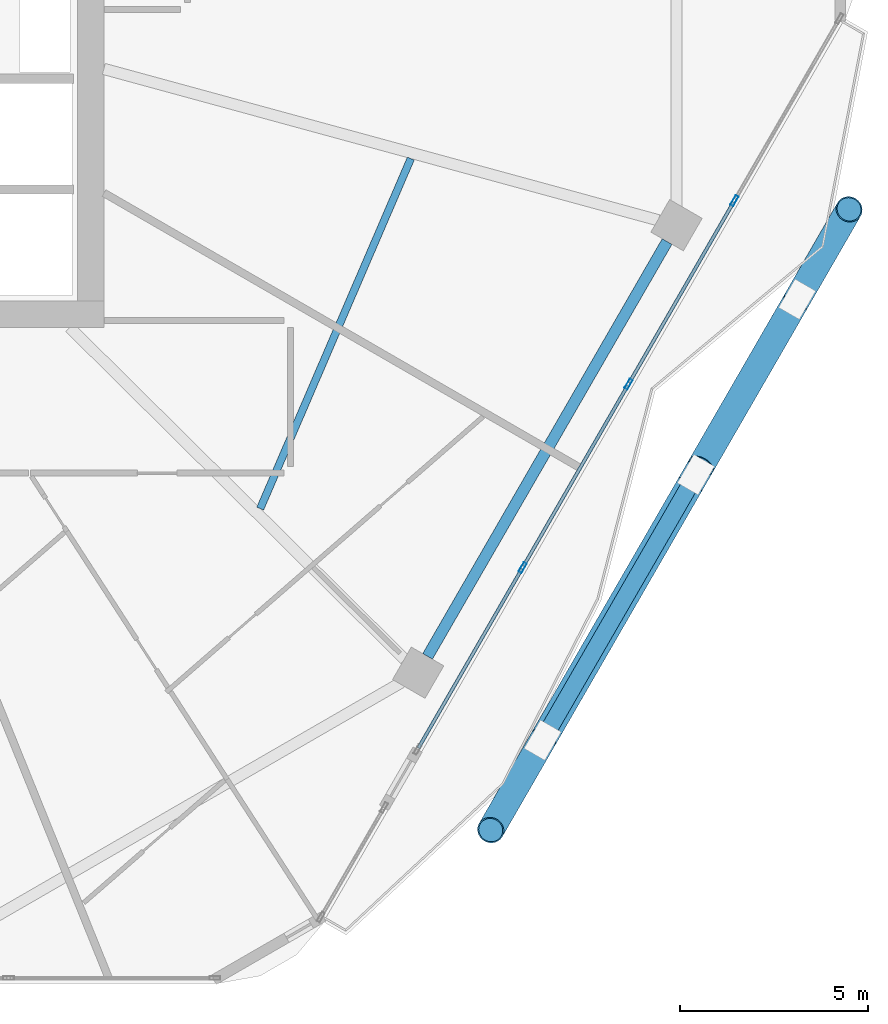
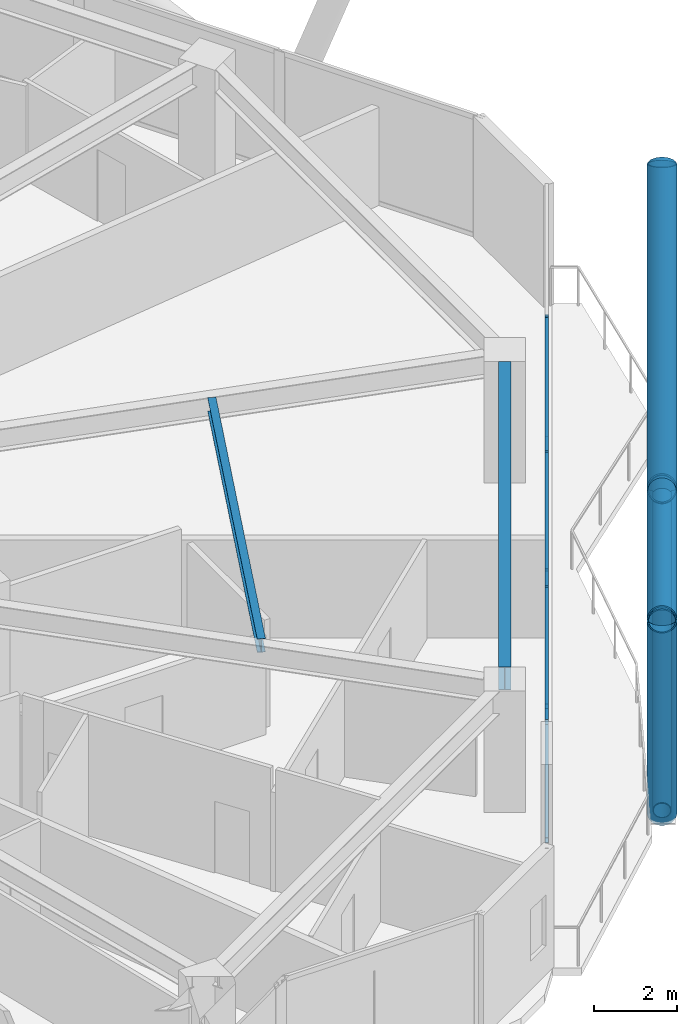
# One storey, part 8 of 28: 15 members, 2 beams, 1 element without a shape of its own.
"""IFC4 building model written with IfcOpenShell, lengths in metres."""

import ifcopenshell
import ifcopenshell.guid

model = None  # the IFC model being written
_history = None  # IfcOwnerHistory: only IFC2X3 demands one
_inside = {}  # id of a spatial element -> (the spatial element, [elements in it])
_under = {}  # id of a project, library or spatial element -> (it, [spatial elements below it])
_declared = {}  # id of a project -> (the project, [libraries it declares])
_typed = {}  # id of a type object -> (the type object, [elements of that type])
_made_of = {}  # id of a material, layer set ... -> (it, [elements and type objects made of it])


def new_model(schema):
    """Start an empty IFC model of exactly this schema.

    Asked for "IFC4X3", IfcOpenShell would pick the latest addendum, in which some entities
    have other attributes; the version numbers below select the first issue.
    IFC2X3 requires an IfcOwnerHistory on every rooted entity: one is made here for all.
    """
    global model, _history
    if schema == "IFC4X3":
        model = ifcopenshell.file(schema_version=(4, 3, 0, 0))
    else:
        model = ifcopenshell.file(schema=schema)
    _inside.clear()
    _under.clear()
    _declared.clear()
    _typed.clear()
    _made_of.clear()
    _history = None
    if model.schema == "IFC2X3":
        org = make("IfcOrganization", Name="unknown")
        user = make(
            "IfcPersonAndOrganization",
            ThePerson=make("IfcPerson", FamilyName="unknown"),
            TheOrganization=org,
        )
        app = make(
            "IfcApplication",
            ApplicationDeveloper=org,
            Version="unknown",
            ApplicationFullName="unknown",
            ApplicationIdentifier="unknown",
        )
        _history = make(
            "IfcOwnerHistory",
            OwningUser=user,
            OwningApplication=app,
            ChangeAction="ADDED",
            CreationDate=0,
        )
    return model


def make(cls, **values):
    """One entity of the class cls with the attributes given. An attribute that is None is left unset."""
    return model.create_entity(
        cls, **{name: value for name, value in values.items() if value is not None}
    )


def rooted(cls, **values):
    """An entity with a GlobalId (a new one), such as an element, a storey or a relation."""
    return make(cls, GlobalId=ifcopenshell.guid.new(), OwnerHistory=_history, **values)


def si_unit(unit_type, name, prefix=None):
    """IfcSIUnit, for example si_unit("LENGTHUNIT", "METRE", prefix="MILLI")."""
    return make("IfcSIUnit", UnitType=unit_type, Prefix=prefix, Name=name)


def assignment(units):
    """IfcUnitAssignment: the units of a project."""
    return None if units is None else make("IfcUnitAssignment", Units=units)


def point(xyz):
    """IfcCartesianPoint."""
    return None if xyz is None else make("IfcCartesianPoint", Coordinates=xyz)


def direction(xyz):
    """IfcDirection."""
    return None if xyz is None else make("IfcDirection", DirectionRatios=xyz)


def frame(location, z_axis=None, x_axis=None):
    """IfcAxis2Placement3D, a coordinate frame: its origin and axes. An axis left out is left unset."""
    return make(
        "IfcAxis2Placement3D",
        Location=point(location),
        Axis=direction(z_axis),
        RefDirection=direction(x_axis),
    )


def frame_2d(location, x_axis=None):
    """IfcAxis2Placement2D, a coordinate frame in the plane: its origin and x axis."""
    return make(
        "IfcAxis2Placement2D", Location=point(location), RefDirection=direction(x_axis)
    )


def origin():
    """The frame at (0, 0, 0) with its axes left unset."""
    return frame((0.0, 0.0, 0.0))


def origin_2d():
    """The frame at (0, 0) in the plane with its x axis left unset."""
    return frame_2d((0.0, 0.0))


def place(relative_to, where):
    """IfcLocalPlacement: puts the frame where relative to a parent placement (None: the world)."""
    return make(
        "IfcLocalPlacement", PlacementRelTo=relative_to, RelativePlacement=where
    )


def context(
    kind, dimensions, precision=None, world=None, true_north=None, identifier=None
):
    """IfcGeometricRepresentationContext, for example the 3D "Model" context."""
    return make(
        "IfcGeometricRepresentationContext",
        ContextIdentifier=identifier,
        ContextType=kind,
        CoordinateSpaceDimension=dimensions,
        Precision=precision,
        WorldCoordinateSystem=world,
        TrueNorth=true_north,
    )


def subcontext(parent, identifier, kind, view, scale=None):
    """IfcGeometricRepresentationSubContext, for example "Body" below "Model"."""
    return make(
        "IfcGeometricRepresentationSubContext",
        ContextIdentifier=identifier,
        ContextType=kind,
        ParentContext=parent,
        TargetScale=scale,
        TargetView=view,
    )


def project(units=None, contexts=None):
    """IfcProject with its units and contexts."""
    return rooted(
        "IfcProject",
        Name="project",
        RepresentationContexts=contexts,
        UnitsInContext=assignment(units),
    )


def spatial(cls, under=None, at=None, **own):
    """A site, building, storey or space (cls), placed at a placement, below another one or the project."""
    s = rooted(cls, ObjectPlacement=at, **own)
    if under is not None:
        _under.setdefault(under.id(), (under, []))[1].append(s)
    return s


def profile(cls, at=None, kind="AREA", **sizes):
    """A parametric profile (cls). Its sizes go by their IFC names, for example OverallWidth=200.0."""
    return make(cls, ProfileType=kind, Position=at, **sizes)


def hollow_rectangle(**sizes):
    """IfcRectangleHollowProfileDef."""
    return profile("IfcRectangleHollowProfileDef", **sizes)


def hollow_circle(**sizes):
    """IfcCircleHollowProfileDef."""
    return profile("IfcCircleHollowProfileDef", **sizes)


def i_section(**sizes):
    """IfcIShapeProfileDef."""
    return profile("IfcIShapeProfileDef", **sizes)


def extrude(swept, where, along, depth):
    """IfcExtrudedAreaSolid: the profile swept, set in the frame where, extruded along a direction by depth."""
    return make(
        "IfcExtrudedAreaSolid",
        SweptArea=swept,
        Position=where,
        ExtrudedDirection=direction(along),
        Depth=depth,
    )


def shape(context_of_items, identifier, shape_type, items):
    """IfcShapeRepresentation: the items that make up one representation, for example the "Body"."""
    return make(
        "IfcShapeRepresentation",
        ContextOfItems=context_of_items,
        RepresentationIdentifier=identifier,
        RepresentationType=shape_type,
        Items=items,
    )


def material(Name=None, Category=None):
    """IfcMaterial."""
    return make("IfcMaterial", Name=Name, Category=Category)


def material_profile(
    of_material, cross_section, Name=None, Category=None, Priority=None
):
    """IfcMaterialProfile: a cross section and its material."""
    return make(
        "IfcMaterialProfile",
        Name=Name,
        Material=of_material,
        Profile=cross_section,
        Priority=Priority,
        Category=Category,
    )


def profile_set(profiles, Name=None, composite=None):
    """IfcMaterialProfileSet."""
    return make(
        "IfcMaterialProfileSet",
        Name=Name,
        MaterialProfiles=profiles,
        CompositeProfile=composite,
    )


def made_of(thing, what):
    """Note that an element or type object is made of a material, layer set ...; save() writes the relation."""
    if what is not None:
        _made_of.setdefault(what.id(), (what, []))[1].append(thing)
    return thing


def type_object(cls, material=None, **own):
    """A type object (cls), such as IfcWallType, which elements share."""
    return made_of(rooted(cls, **own), material)


def element(
    cls,
    number,
    at=None,
    inside=None,
    cuts=None,
    type_object=None,
    material=None,
    context=None,
    identifier="Body",
    shape_type=None,
    held_by="IfcProductDefinitionShape",
    body=None,
    shapes=None,
    **own,
):
    """One element of the class cls, such as IfcWall. Its Tag is "e" and its number.

    at: its placement. inside: the storey or other place that contains it. cuts: it is an
    opening in that element (IfcRelVoidsElement). A single representation is given by context,
    identifier, shape_type and body (its items); several are given by shapes. held_by: the class
    of the entity that holds the representations. save() writes the other relations.
    """
    e = rooted(cls, Tag="e%d" % number, ObjectPlacement=at, **own)
    if body is not None:
        shapes = [shape(context, identifier, shape_type, body)]
    if shapes is not None:
        e.Representation = make(held_by, Representations=shapes)
    if inside is not None:
        _inside.setdefault(inside.id(), (inside, []))[1].append(e)
    if cuts is not None:
        rooted(
            "IfcRelVoidsElement", RelatingBuildingElement=cuts, RelatedOpeningElement=e
        )
    if type_object is not None:
        _typed.setdefault(type_object.id(), (type_object, []))[1].append(e)
    return made_of(e, material)


def aggregate(whole, parts):
    """IfcRelAggregates: a whole, such as a stair, and the parts it consists of."""
    return rooted("IfcRelAggregates", RelatingObject=whole, RelatedObjects=parts)


def save(model, path):
    """Write the relations noted so far, then the file.

    IfcRelAggregates (storeys below a building ...), IfcRelContainedInSpatialStructure (elements
    in a storey), IfcRelDefinesByType, IfcRelAssociatesMaterial and IfcRelDeclares: one each for
    every whole, place, type object, material and project.
    """
    for whole, parts in _under.values():
        aggregate(whole, parts)
    for where, things in _inside.values():
        rooted(
            "IfcRelContainedInSpatialStructure",
            RelatedElements=things,
            RelatingStructure=where,
        )
    for kind, things in _typed.values():
        rooted("IfcRelDefinesByType", RelatedObjects=things, RelatingType=kind)
    for what, things in _made_of.values():
        rooted("IfcRelAssociatesMaterial", RelatedObjects=things, RelatingMaterial=what)
    for by, libraries in _declared.values():
        rooted("IfcRelDeclares", RelatingContext=by, RelatedDefinitions=libraries)
    model.write(path)


model = new_model("IFC4")

# Units and contexts
model_context = context("Model", 3, precision=1e-05, world=origin(), true_north=direction((0.0, 1.0)))
body_context = subcontext(model_context, "Body", "Model", "MODEL_VIEW")
ifc_project = project(units=[si_unit("LENGTHUNIT", "METRE"), si_unit("AREAUNIT", "SQUARE_METRE"), si_unit("VOLUMEUNIT", "CUBIC_METRE"), si_unit("PLANEANGLEUNIT", "RADIAN"), si_unit("MASSUNIT", "GRAM", prefix="KILO")], contexts=[model_context])

# Site, building, storey
site_placement = place(None, origin())
site = spatial("IfcSite", under=ifc_project, at=site_placement, CompositionType="ELEMENT")
building_placement = place(site_placement, origin())
building = spatial("IfcBuilding", under=site, at=building_placement, Name="Zuhravey Tower", CompositionType="ELEMENT")
storey_placement = place(building_placement, frame((0.0, 0.0, 154.199951171875)))
storey = spatial("IfcBuildingStorey", under=building, at=storey_placement, Name="L38", CompositionType="ELEMENT", Elevation=154.199951171875)

# Curtain wall, members
ifc_material_1 = material(Name="Thermally broken anodised aluminium", Category="aluminium")
curtain_wall_type = type_object("IfcCurtainWallType", Name="Zone 1-2 Residential Curtain Wall CW3", PredefinedType="NOTDEFINED", material=ifc_material_1)
curtain_wall_placement = place(storey_placement, origin())
curtain_wall = element("IfcCurtainWall", 1, at=curtain_wall_placement, inside=storey, type_object=curtain_wall_type, Name="L38 CW3 CW-L38-F6-1", PredefinedType="NOTDEFINED")
ifc_material_2 = material(Name="Anodised aluminium", Category="aluminium")
ifc_material_profile_1 = material_profile(ifc_material_2, hollow_rectangle(XDim=0.090087890625, YDim=0.284912109375, WallThickness=0.0048828125, at=origin_2d()), Name="ALU-RHS-90x285x5")
ifc_profile_set_1 = profile_set([ifc_material_profile_1], Name="Anodised aluminium")
member_type_1 = type_object("IfcMemberType", Name="Curtain-Wall Mullion 90x180", PredefinedType="MULLION", material=ifc_profile_set_1)
member_1_placement = place(storey_placement, frame((63.65087890625, 25.5263671875, 0.0), z_axis=(0.0, 0.0, 1.0), x_axis=(0.866024427751, -0.500001690536, 0.0)))
member_1 = element("IfcMember", 2, at=member_1_placement, type_object=member_type_1, Name="CW3 mullion 2", PredefinedType="MULLION", context=body_context, shape_type="SweptSolid", body=[
    extrude(hollow_rectangle(XDim=0.090087890625, YDim=0.284912109375, WallThickness=0.0048828125, at=origin_2d()), origin(), (0.0, 0.0, 1.0), 3.550048828125),
])
member_2_placement = place(storey_placement, frame((60.829833984375, 20.640380859375, 0.0), z_axis=(0.0, 0.0, 1.0), x_axis=(0.866024427751, -0.500001690536, 0.0)))
member_2 = element("IfcMember", 3, at=member_2_placement, type_object=member_type_1, Name="CW3 mullion 3", PredefinedType="MULLION", context=body_context, shape_type="SweptSolid", body=[
    extrude(hollow_rectangle(XDim=0.090087890625, YDim=0.284912109375, WallThickness=0.0048828125, at=origin_2d()), origin(), (0.0, 0.0, 1.0), 3.550048828125),
])
member_3_placement = place(storey_placement, frame((58.0087890625, 15.75439453125, 0.0), z_axis=(0.0, 0.0, 1.0), x_axis=(0.866024427751, -0.500001690536, 0.0)))
member_3 = element("IfcMember", 4, at=member_3_placement, type_object=member_type_1, Name="CW3 mullion 4", PredefinedType="MULLION", context=body_context, shape_type="SweptSolid", body=[
    extrude(hollow_rectangle(XDim=0.090087890625, YDim=0.284912109375, WallThickness=0.0048828125, at=origin_2d()), origin(), (0.0, 0.0, 1.0), 3.550048828125),
])
ifc_material_profile_2 = material_profile(ifc_material_2, hollow_rectangle(XDim=0.090087890625, YDim=0.14990234375, WallThickness=0.0048828125, at=origin_2d()), Name="ALU-RHS-90x150x5")
ifc_profile_set_2 = profile_set([ifc_material_profile_2], Name="Anodised aluminium")
member_type_2 = type_object("IfcMemberType", Name="Curtain-Wall Transom 90x150", PredefinedType="USERDEFINED", material=ifc_profile_set_2)
member_4_placement = place(storey_placement, frame((63.62841796875, 25.487548828125, 0.045166015625), z_axis=(-0.500021891966, -0.866012764083, 0.0), x_axis=(0.866012764083, -0.500021891966, 0.0)))
member_4 = element("IfcMember", 5, at=member_4_placement, type_object=member_type_2, Name="CW3 transom 2.1", ObjectType="TRANSOM", PredefinedType="USERDEFINED", context=body_context, shape_type="SweptSolid", body=[
    extrude(hollow_rectangle(XDim=0.090087890625, YDim=0.14990234375, WallThickness=0.0048828125, at=origin_2d()), origin(), (0.0, 0.0, 1.0), 5.552001953125),
])
member_5_placement = place(storey_placement, frame((63.62841796875, 25.487548828125, 3.505126953125), z_axis=(-0.500021891966, -0.866012764083, 0.0), x_axis=(0.866012764083, -0.500021891966, 0.0)))
member_5 = element("IfcMember", 6, at=member_5_placement, type_object=member_type_2, Name="CW3 transom 2.2", ObjectType="TRANSOM", PredefinedType="USERDEFINED", context=body_context, shape_type="SweptSolid", body=[
    extrude(hollow_rectangle(XDim=0.090087890625, YDim=0.14990234375, WallThickness=0.0048828125, at=origin_2d()), origin(), (0.0, 0.0, 1.0), 5.552001953125),
])
member_6_placement = place(storey_placement, frame((60.807373046875, 20.601318359375, 0.045166015625), z_axis=(-0.499988911768, -0.866031805484, 0.0), x_axis=(0.866031805484, -0.499988911768, 0.0)))
member_6 = element("IfcMember", 7, at=member_6_placement, type_object=member_type_2, Name="CW3 transom 3.1", ObjectType="TRANSOM", PredefinedType="USERDEFINED", context=body_context, shape_type="SweptSolid", body=[
    extrude(hollow_rectangle(XDim=0.090087890625, YDim=0.14990234375, WallThickness=0.0048828125, at=origin_2d()), origin(), (0.0, 0.0, 1.0), 5.552001953125),
])
member_7_placement = place(storey_placement, frame((60.807373046875, 20.601318359375, 3.505126953125), z_axis=(-0.499988911768, -0.866031805484, 0.0), x_axis=(0.866031805484, -0.499988911768, 0.0)))
member_7 = element("IfcMember", 8, at=member_7_placement, type_object=member_type_2, Name="CW3 transom 3.2", ObjectType="TRANSOM", PredefinedType="USERDEFINED", context=body_context, shape_type="SweptSolid", body=[
    extrude(hollow_rectangle(XDim=0.090087890625, YDim=0.14990234375, WallThickness=0.0048828125, at=origin_2d()), origin(), (0.0, 0.0, 1.0), 5.552001953125),
])
member_8_placement = place(storey_placement, frame((57.986328125, 15.71533203125, 0.045166015625), z_axis=(-0.500001324761, -0.866024638932, 0.0), x_axis=(0.866024638932, -0.500001324761, 0.0)))
member_8 = element("IfcMember", 9, at=member_8_placement, type_object=member_type_2, Name="CW3 transom 4.1", ObjectType="TRANSOM", PredefinedType="USERDEFINED", context=body_context, shape_type="SweptSolid", body=[
    extrude(hollow_rectangle(XDim=0.090087890625, YDim=0.14990234375, WallThickness=0.0048828125, at=origin_2d()), origin(), (0.0, 0.0, 1.0), 5.5068359375),
])
member_9_placement = place(storey_placement, frame((57.986328125, 15.71533203125, 3.505126953125), z_axis=(-0.500001324761, -0.866024638932, 0.0), x_axis=(0.866024638932, -0.500001324761, 0.0)))
member_9 = element("IfcMember", 10, at=member_9_placement, type_object=member_type_2, Name="CW3 transom 4.2", ObjectType="TRANSOM", PredefinedType="USERDEFINED", context=body_context, shape_type="SweptSolid", body=[
    extrude(hollow_rectangle(XDim=0.090087890625, YDim=0.14990234375, WallThickness=0.0048828125, at=origin_2d()), origin(), (0.0, 0.0, 1.0), 5.5068359375),
])
aggregate(curtain_wall, [member_1, member_2, member_3, member_4, member_5, member_6, member_7, member_8, member_9])

# Members
ifc_material_3 = material(Name="Steel SM355", Category="steel")
ifc_material_profile_3 = material_profile(ifc_material_3, hollow_circle(Radius=0.228515625, WallThickness=0.02197265625, at=origin_2d()), Name="CHS-457.2x22")
ifc_profile_set_3 = profile_set([ifc_material_profile_3], Name="Steel SM355")
member_type_3 = type_object("IfcMemberType", Name="Exoskeleton Ring Tie CHS457x22", PredefinedType="CHORD", material=ifc_profile_set_3)
member_10_placement = place(storey_placement, frame((58.611083984375, 11.27734375, -0.4638671875), z_axis=(0.500004091344, 0.866023041633, 0.0), x_axis=(-0.866023041633, 0.500004091344, 0.0)))
element("IfcMember", 11, at=member_10_placement, inside=storey, type_object=member_type_3, Name="L38 Exoskeleton Face 6 Tie EXR1", PredefinedType="CHORD", context=body_context, shape_type="SweptSolid", body=[
    extrude(hollow_circle(Radius=0.228515625, WallThickness=0.02197265625, at=origin_2d()), origin(), (0.0, 0.0, 1.0), 13.28173828125),
])
ifc_material_4 = material(Name="Steel SM460", Category="steel")
ifc_material_profile_4 = material_profile(ifc_material_4, hollow_circle(Radius=0.355712890625, WallThickness=0.031982421875, at=origin_2d()), Name="CHS-711.2x32")
ifc_profile_set_4 = profile_set([ifc_material_profile_4], Name="Steel SM460")
member_type_4 = type_object("IfcMemberType", Name="Exoskeleton Zone 2 Diagrid CHS711x32", PredefinedType="BRACE", material=ifc_profile_set_4)
member_11_placement = place(storey_placement, frame((58.537353515625, 11.149658203125, -0.44384765625), z_axis=(-0.171433802544, -0.296937543674, 0.939382002437), x_axis=(0.866029404905, -0.499993069792, 0.0)))
element("IfcMember", 12, at=member_11_placement, inside=storey, type_object=member_type_4, Name="L38 Face 6 Diagrid Brace 1", PredefinedType="BRACE", context=body_context, shape_type="SweptSolid", body=[
    extrude(hollow_circle(Radius=0.355712890625, WallThickness=0.031982421875, at=origin_2d()), origin(), (0.0, 0.0, 1.0), 8.047607421875),
])
member_12_placement = place(storey_placement, frame((58.5625, 11.193115234375, -0.44384765625), z_axis=(0.453340993402, 0.785214389504, 0.42180600543), x_axis=(-0.866026715089, 0.499997728747, 0.0)))
element("IfcMember", 13, at=member_12_placement, inside=storey, type_object=member_type_4, Name="L38 Face 6 Diagrid Brace 2", PredefinedType="BRACE", context=body_context, shape_type="SweptSolid", body=[
    extrude(hollow_circle(Radius=0.355712890625, WallThickness=0.031982421875, at=origin_2d()), origin(), (0.0, 0.0, 1.0), 17.922607421875),
])
member_13_placement = place(storey_placement, frame((65.32568359375, 22.9072265625, -0.44384765625), z_axis=(0.171433802544, 0.296937543674, 0.939382002437), x_axis=(-0.866029404905, 0.499993069792, 0.0)))
element("IfcMember", 14, at=member_13_placement, inside=storey, type_object=member_type_4, Name="L38 Face 6 Diagrid Brace 4", PredefinedType="BRACE", context=body_context, shape_type="SweptSolid", body=[
    extrude(hollow_circle(Radius=0.355712890625, WallThickness=0.031982421875, at=origin_2d()), origin(), (0.0, 0.0, 1.0), 8.047607421875),
])
member_14_placement = place(storey_placement, frame((65.302734375, 22.867431640625, -0.4365234375), z_axis=(-0.408784686458, -0.707996191801, 0.575878869652), x_axis=(0.866013277291, -0.500021003115, 0.0)))
element("IfcMember", 15, at=member_14_placement, inside=storey, type_object=member_type_4, Name="L38 Face 6 Split Diagrid Brace 3A", PredefinedType="BRACE", context=body_context, shape_type="SweptSolid", body=[
    extrude(hollow_circle(Radius=0.355712890625, WallThickness=0.031982421875, at=origin_2d()), origin(), (0.0, 0.0, 1.0), 6.205322265625),
])
member_15_placement = place(storey_placement, frame((62.4619140625, 17.947021484375, 3.449462890625), z_axis=(-0.472345150126, -0.818084346156, 0.32806716039), x_axis=(0.866014433275, -0.500019000998, 0.0)))
element("IfcMember", 16, at=member_15_placement, inside=storey, type_object=member_type_4, Name="L38 Face 6 Split Diagrid Brace 3B", PredefinedType="BRACE", context=body_context, shape_type="SweptSolid", body=[
    extrude(hollow_circle(Radius=0.355712890625, WallThickness=0.031982421875, at=origin_2d()), origin(), (0.0, 0.0, 1.0), 11.190185546875),
])

# Beams
ifc_material_profile_5 = material_profile(ifc_material_3, i_section(OverallWidth=0.300048828125, OverallDepth=0.679931640625, WebThickness=0.012939453125, FlangeThickness=0.02197265625, at=origin_2d()), Name="H-680x300x13x22")
ifc_profile_set_5 = profile_set([ifc_material_profile_5], Name="Steel SM355")
beam_type_1 = type_object("IfcBeamType", Name="Perimeter Ring Beam H680x300", PredefinedType="BEAM", material=ifc_profile_set_5)
beam_1_placement = place(storey_placement, frame((55.47705078125, 13.388916015625, 3.2099609375), z_axis=(0.499997974489, 0.866026573211, 0.0), x_axis=(-0.866026573211, 0.499997974489, 0.0)))
element("IfcBeam", 17, at=beam_1_placement, inside=storey, type_object=beam_type_1, Name="L38 PB2 BM-L38-PB-11", PredefinedType="BEAM", context=body_context, shape_type="SweptSolid", body=[
    extrude(i_section(OverallWidth=0.300048828125, OverallDepth=0.679931640625, WebThickness=0.012939453125, FlangeThickness=0.02197265625, at=origin_2d()), origin(), (0.0, 0.0, 1.0), 12.75830078125),
])
ifc_material_profile_6 = material_profile(ifc_material_3, i_section(OverallWidth=0.199951171875, OverallDepth=0.39990234375, WebThickness=0.008056640625, FlangeThickness=0.012939453125, at=origin_2d()), Name="H-400x200x8x13")
ifc_profile_set_6 = profile_set([ifc_material_profile_6], Name="Steel SM355")
beam_type_2 = type_object("IfcBeamType", Name="Secondary Floor Joist H400x200", PredefinedType="JOIST", material=ifc_profile_set_6)
beam_2_placement = place(storey_placement, frame((51.017578125, 17.323974609375, 3.35009765625), z_axis=(0.395265853487, 0.918566766799, 0.0), x_axis=(-0.918566766799, 0.395265853487, 0.0)))
element("IfcBeam", 18, at=beam_2_placement, inside=storey, type_object=beam_type_2, Name="L38 SJ2 BM-L38-SJ-11-1", PredefinedType="JOIST", context=body_context, shape_type="SweptSolid", body=[
    extrude(i_section(OverallWidth=0.199951171875, OverallDepth=0.39990234375, WebThickness=0.008056640625, FlangeThickness=0.012939453125, at=origin_2d()), origin(), (0.0, 0.0, 1.0), 10.150146484375),
])

save(model, "model.ifc")
